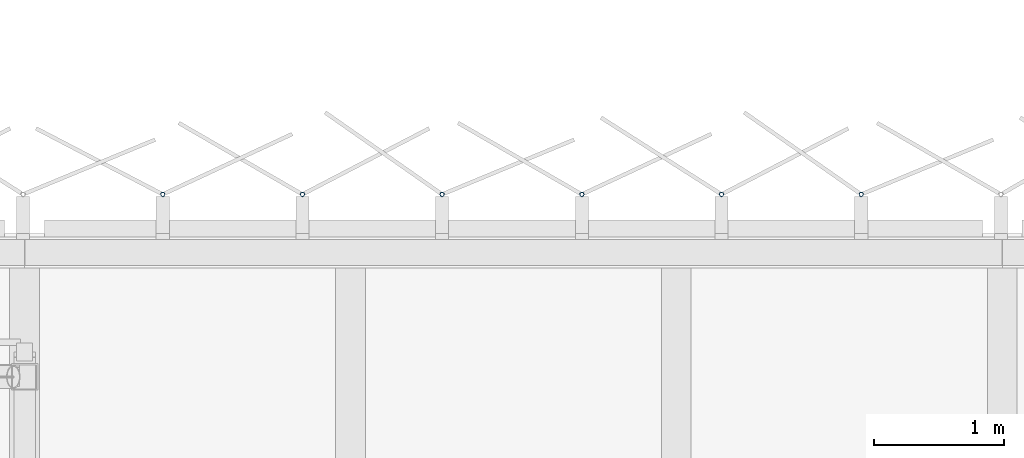
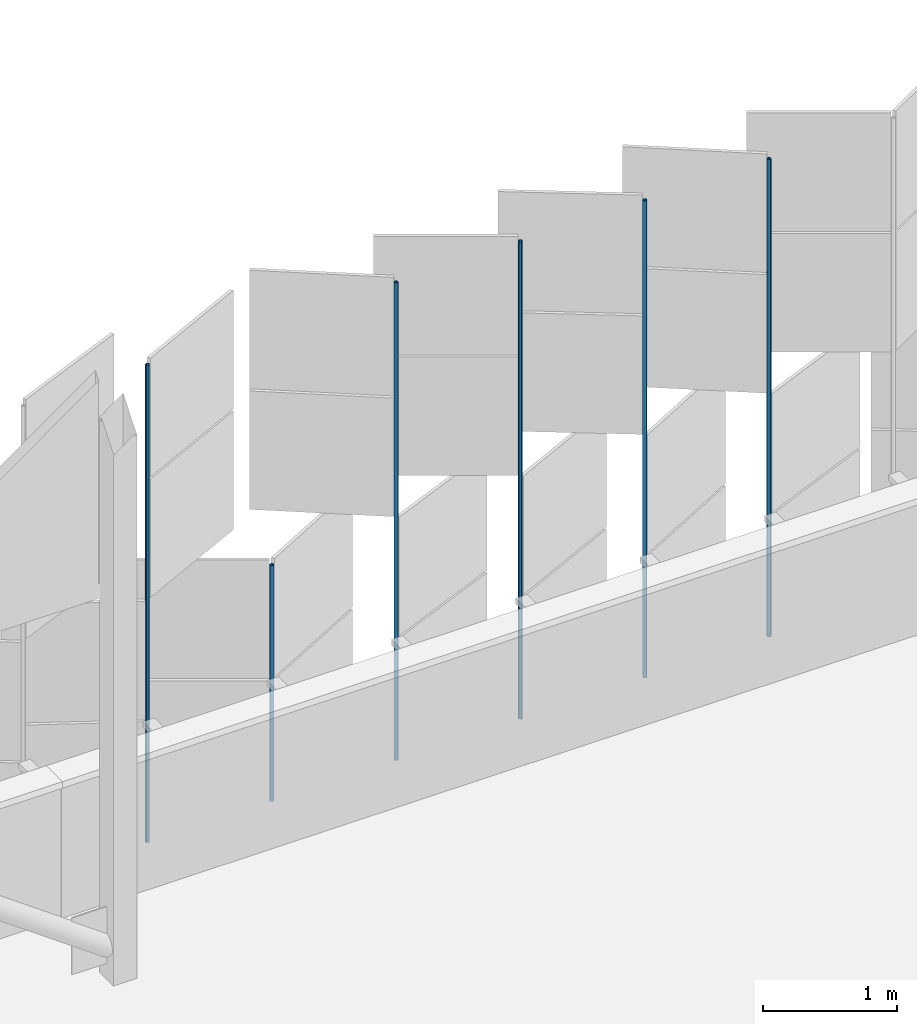
# One storey, part 339 of 483: 6 discrete accessories.
"""IFC4 building model written with IfcOpenShell, lengths in metres."""

from ifc_helpers import new_model, si_unit, direction, frame, origin, origin_2d, place, context, subcontext, project, spatial, hollow_circle, extrude, material, material_profile, profile_set, type_object, element, save


model = new_model("IFC4")

# Units and contexts
model_context = context("Model", 3, precision=1e-05, world=origin(), true_north=direction((0.0, 1.0)))
body_context = subcontext(model_context, "Body", "Model", "MODEL_VIEW")
ifc_project = project(units=[si_unit("LENGTHUNIT", "METRE"), si_unit("AREAUNIT", "SQUARE_METRE"), si_unit("VOLUMEUNIT", "CUBIC_METRE"), si_unit("PLANEANGLEUNIT", "RADIAN"), si_unit("MASSUNIT", "GRAM", prefix="KILO")], contexts=[model_context])

# Site, building, storey
site_placement = place(None, origin())
site = spatial("IfcSite", under=ifc_project, at=site_placement, CompositionType="ELEMENT")
building_placement = place(site_placement, origin())
building = spatial("IfcBuilding", under=site, at=building_placement, Name="Parallax Yard Mobility Hub", CompositionType="ELEMENT")
storey_placement = place(building_placement, frame((0.0, 0.0, 13.199951171875)))
storey = spatial("IfcBuildingStorey", under=building, at=storey_placement, Name="L04", CompositionType="ELEMENT", Elevation=13.199951171875)

# Discrete accessories
ifc_material = material(Name="Steel ASTM A500 Gr C, hot-dip galvanised", Category="steel")
ifc_material_profile = material_profile(ifc_material, hollow_circle(Radius=0.016845703125, WallThickness=0.003173828125, at=origin_2d()), Name="CHS 33.7x3.2")
ifc_profile_set = profile_set([ifc_material_profile], Name="Steel ASTM A500 Gr C, hot-dip galvanised")
discrete_accessory_type = type_object("IfcDiscreteAccessoryType", Name="Hinge post CHS 33.7x3.2", PredefinedType="BRACKET", material=ifc_profile_set)
for number, where, z_axis, x_axis, name in (
    (1, (66.41796875, 142.800048828125, 0.0), (0.0, 0.0, 1.0), (1.0, 0.0, 0.0), "Hinge post bay 65.2 level L04"),
    (2, (65.34619140625, 142.800048828125, 0.0), (0.0, 0.0, 1.0), (1.0, 0.0, 0.0), "Hinge post bay 65.3 level L04"),
    (3, (64.27490234375, 142.800048828125, 0.0), (0.0, 0.0, 1.0), (1.0, 0.0, 0.0), "Hinge post bay 65.4 level L04"),
    (4, (63.203125, 142.800048828125, 0.0), (0.0, 0.0, 1.0), (1.0, 0.0, 0.0), "Hinge post bay 65.5 level L04"),
):
    element("IfcDiscreteAccessory", number, at=place(storey_placement, frame(where, z_axis=z_axis, x_axis=x_axis)), inside=storey, type_object=discrete_accessory_type, Name=name, PredefinedType="BRACKET", context=body_context, shape_type="SweptSolid", body=[
        extrude(hollow_circle(Radius=0.016845703125, WallThickness=0.003173828125, at=origin_2d()), origin(), (0.0, 0.0, 1.0), 4.35009765625),
    ])
discrete_accessory_1_placement = place(storey_placement, frame((62.131591796875, 142.800048828125, 0.0), z_axis=(0.0, 0.0, 1.0), x_axis=(1.0, 0.0, 0.0)))
element("IfcDiscreteAccessory", 5, at=discrete_accessory_1_placement, inside=storey, type_object=discrete_accessory_type, Name="Hinge post bay 65.6 level L04", PredefinedType="BRACKET", context=body_context, shape_type="SweptSolid", body=[
    extrude(hollow_circle(Radius=0.016845703125, WallThickness=0.003173828125, at=origin_2d()), origin(), (0.0, 0.0, 1.0), 2.150146484375),
])
discrete_accessory_2_placement = place(storey_placement, frame((61.06005859375, 142.800048828125, 0.0), z_axis=(0.0, 0.0, 1.0), x_axis=(1.0, 0.0, 0.0)))
element("IfcDiscreteAccessory", 6, at=discrete_accessory_2_placement, inside=storey, type_object=discrete_accessory_type, Name="Hinge post bay 65.7 level L04", PredefinedType="BRACKET", context=body_context, shape_type="SweptSolid", body=[
    extrude(hollow_circle(Radius=0.016845703125, WallThickness=0.003173828125, at=origin_2d()), origin(), (0.0, 0.0, 1.0), 4.35009765625),
])

save(model, "model.ifc")
